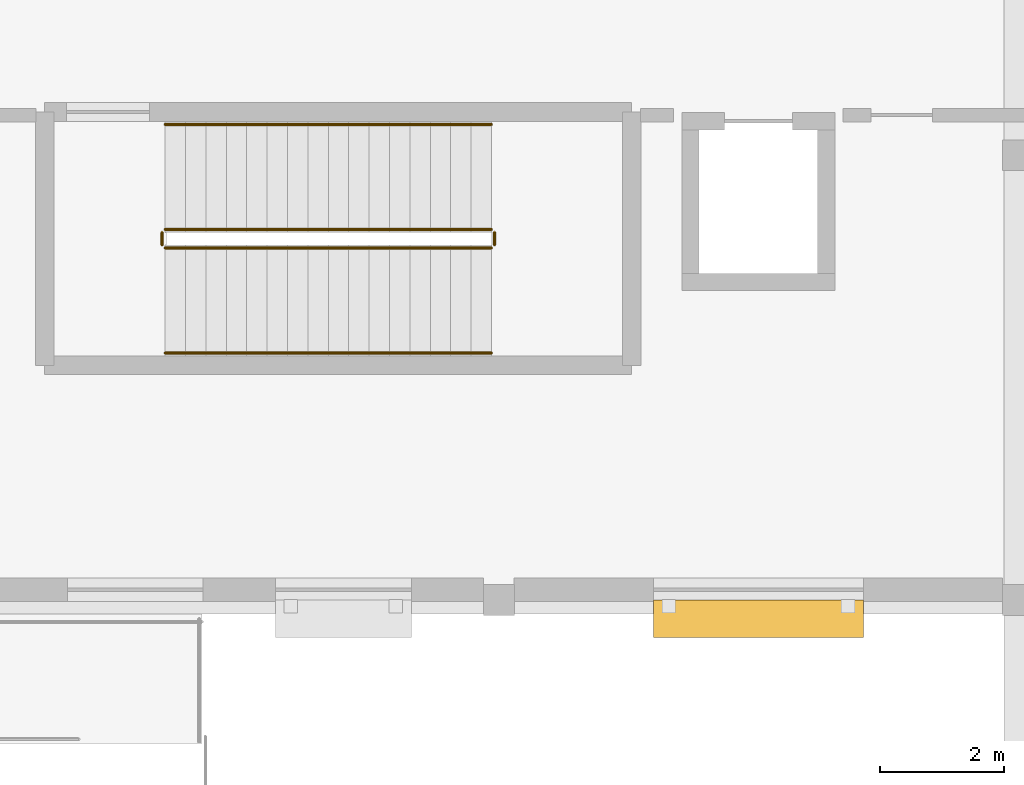
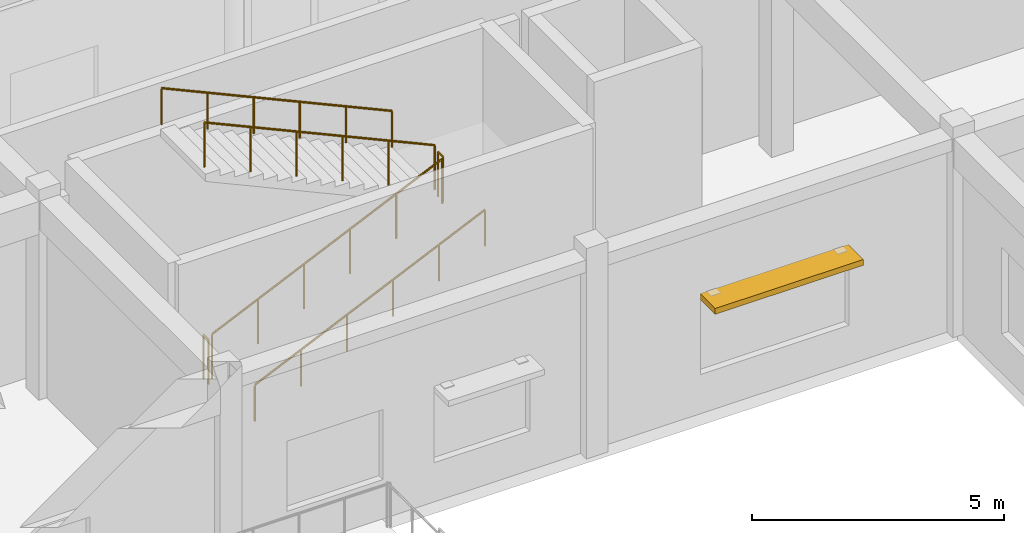
# One storey, part 103 of 121: 6 railings, 1 shading device.
"""IFC4 building model written with IfcOpenShell, lengths in metres."""

from ifc_helpers import new_model, si_unit, direction, frame, origin, origin_2d, place, context, subcontext, project, spatial, rectangle, circle, extrude, material, layer, layer_set, type_object, element, save


model = new_model("IFC4")

# Units and contexts
model_context = context("Model", 3, precision=1e-05, world=origin(), true_north=direction((0.0, 1.0)))
body_context = subcontext(model_context, "Body", "Model", "MODEL_VIEW")
ifc_project = project(units=[si_unit("LENGTHUNIT", "METRE"), si_unit("AREAUNIT", "SQUARE_METRE"), si_unit("VOLUMEUNIT", "CUBIC_METRE"), si_unit("PLANEANGLEUNIT", "RADIAN"), si_unit("MASSUNIT", "GRAM", prefix="KILO")], contexts=[model_context])

# Site, building, storey
site_placement = place(None, origin())
site = spatial("IfcSite", under=ifc_project, at=site_placement, CompositionType="ELEMENT")
building_placement = place(site_placement, origin())
building = spatial("IfcBuilding", under=site, at=building_placement, Name="Malvenik Polytechnic", CompositionType="ELEMENT")
storey_placement = place(building_placement, origin())
storey = spatial("IfcBuildingStorey", under=building, at=storey_placement, Name="L00", CompositionType="ELEMENT", Elevation=0.0)

# Railings
ifc_material_1 = material(Name="Painted galvanised steel stair well balustrade 1100mm", Category="steel")
ifc_layer_1 = layer(ifc_material_1, 0.050048828125)
ifc_layer_set_1 = layer_set([ifc_layer_1], Name="Painted galvanised steel stair well balustrade 1100mm")
railing_type_1 = type_object("IfcRailingType", Name="ARC-RL-STGD", PredefinedType="BALUSTRADE", material=ifc_layer_set_1)
railing_1_placement = place(storey_placement, frame((103.800048828125, 27.300048828125, 0.14990234375)))
element("IfcRailing", 1, at=railing_1_placement, inside=storey, type_object=railing_type_1, Name="L00 ST-08 stair guard 1", PredefinedType="BALUSTRADE", context=body_context, shape_type="SweptSolid", body=[
    extrude(circle(Radius=0.02392578125, at=origin_2d()), frame((0.0, 0.0, 1.076171875), z_axis=(0.910357827898, 0.0, 0.413821972815), x_axis=(0.0, 1.0, 0.0)), (0.0, 0.0, 1.0), 5.800048828125),
    extrude(circle(Radius=0.02099609375, at=origin_2d()), origin(), (0.0, 0.0, 1.0), 1.052001953125),
    extrude(circle(Radius=0.02099609375, at=origin_2d()), frame((1.055908203125, 0.0, 0.47998046875)), (0.0, 0.0, 1.0), 1.052001953125),
    extrude(circle(Radius=0.02099609375, at=origin_2d()), frame((2.112060546875, 0.0, 0.9599609375)), (0.0, 0.0, 1.0), 1.052001953125),
    extrude(circle(Radius=0.02099609375, at=origin_2d()), frame((3.16796875, 0.0, 1.440185546875)), (0.0, 0.0, 1.0), 1.052001953125),
    extrude(circle(Radius=0.02099609375, at=origin_2d()), frame((4.22412109375, 0.0, 1.920166015625)), (0.0, 0.0, 1.0), 1.052001953125),
    extrude(circle(Radius=0.02099609375, at=origin_2d()), frame((5.280029296875, 0.0, 2.400146484375)), (0.0, 0.0, 1.0), 1.052001953125),
])
railing_2_placement = place(storey_placement, frame((109.1298828125, 27.35009765625, 2.550048828125)))
element("IfcRailing", 2, at=railing_2_placement, inside=storey, type_object=railing_type_1, Name="L00 ST-08 stair guard 2", PredefinedType="BALUSTRADE", context=body_context, shape_type="SweptSolid", body=[
    extrude(circle(Radius=0.02392578125, at=origin_2d()), frame((0.0, 0.0, 1.076171875), z_axis=(0.0, 1.0, 0.0), x_axis=(-1.0, 0.0, 0.0)), (0.0, 0.0, 1.0), 0.199951171875),
    extrude(circle(Radius=0.02099609375, at=origin_2d()), origin(), (0.0, 0.0, 1.0), 1.052001953125),
    extrude(circle(Radius=0.02099609375, at=origin_2d()), frame((0.0, 0.199951171875, 0.0)), (0.0, 0.0, 1.0), 1.052001953125),
])
railing_3_placement = place(storey_placement, frame((109.080078125, 27.60009765625, 2.699951171875)))
element("IfcRailing", 3, at=railing_3_placement, inside=storey, type_object=railing_type_1, Name="L00 ST-08 stair guard 3", PredefinedType="BALUSTRADE", context=body_context, shape_type="SweptSolid", body=[
    extrude(circle(Radius=0.02392578125, at=origin_2d()), frame((0.0, 0.0, 1.076171875), z_axis=(-0.910357827898, 0.0, 0.413821972815), x_axis=(0.0, -1.0, 0.0)), (0.0, 0.0, 1.0), 5.800048828125),
    extrude(circle(Radius=0.02099609375, at=origin_2d()), origin(), (0.0, 0.0, 1.0), 1.052001953125),
    extrude(circle(Radius=0.02099609375, at=origin_2d()), frame((-1.055908203125, 0.0, 0.47998046875)), (0.0, 0.0, 1.0), 1.052001953125),
    extrude(circle(Radius=0.02099609375, at=origin_2d()), frame((-2.112060546875, 0.0, 0.9599609375)), (0.0, 0.0, 1.0), 1.052001953125),
    extrude(circle(Radius=0.02099609375, at=origin_2d()), frame((-3.16796875, 0.0, 1.440185546875)), (0.0, 0.0, 1.0), 1.052001953125),
    extrude(circle(Radius=0.02099609375, at=origin_2d()), frame((-4.22412109375, 0.0, 1.920166015625)), (0.0, 0.0, 1.0), 1.052001953125),
    extrude(circle(Radius=0.02099609375, at=origin_2d()), frame((-5.280029296875, 0.0, 2.400146484375)), (0.0, 0.0, 1.0), 1.052001953125),
])
railing_4_placement = place(storey_placement, frame((103.75, 27.35009765625, 0.0)))
element("IfcRailing", 4, at=railing_4_placement, inside=storey, type_object=railing_type_1, Name="L00 ST-08 stair guard 4", PredefinedType="BALUSTRADE", context=body_context, shape_type="SweptSolid", body=[
    extrude(circle(Radius=0.02392578125, at=origin_2d()), frame((0.0, 0.0, 1.076171875), z_axis=(0.0, 1.0, 0.0), x_axis=(-1.0, 0.0, 0.0)), (0.0, 0.0, 1.0), 0.199951171875),
    extrude(circle(Radius=0.02099609375, at=origin_2d()), origin(), (0.0, 0.0, 1.0), 1.052001953125),
    extrude(circle(Radius=0.02099609375, at=origin_2d()), frame((0.0, 0.199951171875, 0.0)), (0.0, 0.0, 1.0), 1.052001953125),
])
ifc_material_2 = material(Name="Brushed stainless steel 1.4301 stair wall handrail", Category="steel")
ifc_layer_2 = layer(ifc_material_2, 0.044921875)
ifc_layer_set_2 = layer_set([ifc_layer_2], Name="Brushed stainless steel 1.4301 stair wall handrail")
railing_type_2 = type_object("IfcRailingType", Name="ARC-RL-STHR", PredefinedType="HANDRAIL", material=ifc_layer_set_2)
railing_5_placement = place(storey_placement, frame((103.800048828125, 25.60009765625, 0.14990234375)))
element("IfcRailing", 5, at=railing_5_placement, inside=storey, type_object=railing_type_2, Name="L00 ST-08 stair handrail 1", PredefinedType="HANDRAIL", context=body_context, shape_type="SweptSolid", body=[
    extrude(circle(Radius=0.02392578125, at=origin_2d()), frame((0.0, 0.0, 0.8759765625), z_axis=(0.910357827898, 0.0, 0.413821972815), x_axis=(0.0, 1.0, 0.0)), (0.0, 0.0, 1.0), 5.800048828125),
    extrude(circle(Radius=0.02099609375, at=origin_2d()), origin(), (0.0, 0.0, 1.0), 0.851806640625),
    extrude(circle(Radius=0.02099609375, at=origin_2d()), frame((1.055908203125, 0.0, 0.47998046875)), (0.0, 0.0, 1.0), 0.851806640625),
    extrude(circle(Radius=0.02099609375, at=origin_2d()), frame((2.112060546875, 0.0, 0.9599609375)), (0.0, 0.0, 1.0), 0.851806640625),
    extrude(circle(Radius=0.02099609375, at=origin_2d()), frame((3.16796875, 0.0, 1.440185546875)), (0.0, 0.0, 1.0), 0.851806640625),
    extrude(circle(Radius=0.02099609375, at=origin_2d()), frame((4.22412109375, 0.0, 1.920166015625)), (0.0, 0.0, 1.0), 0.851806640625),
    extrude(circle(Radius=0.02099609375, at=origin_2d()), frame((5.280029296875, 0.0, 2.400146484375)), (0.0, 0.0, 1.0), 0.851806640625),
])
railing_6_placement = place(storey_placement, frame((109.080078125, 29.300048828125, 2.699951171875)))
element("IfcRailing", 6, at=railing_6_placement, inside=storey, type_object=railing_type_2, Name="L00 ST-08 stair handrail 2", PredefinedType="HANDRAIL", context=body_context, shape_type="SweptSolid", body=[
    extrude(circle(Radius=0.02392578125, at=origin_2d()), frame((0.0, 0.0, 0.8759765625), z_axis=(-0.910357827898, 0.0, 0.413821972815), x_axis=(0.0, -1.0, 0.0)), (0.0, 0.0, 1.0), 5.800048828125),
    extrude(circle(Radius=0.02099609375, at=origin_2d()), origin(), (0.0, 0.0, 1.0), 0.851806640625),
    extrude(circle(Radius=0.02099609375, at=origin_2d()), frame((-1.055908203125, 0.0, 0.47998046875)), (0.0, 0.0, 1.0), 0.851806640625),
    extrude(circle(Radius=0.02099609375, at=origin_2d()), frame((-2.112060546875, 0.0, 0.9599609375)), (0.0, 0.0, 1.0), 0.851806640625),
    extrude(circle(Radius=0.02099609375, at=origin_2d()), frame((-3.16796875, 0.0, 1.440185546875)), (0.0, 0.0, 1.0), 0.851806640625),
    extrude(circle(Radius=0.02099609375, at=origin_2d()), frame((-4.22412109375, 0.0, 1.920166015625)), (0.0, 0.0, 1.0), 0.851806640625),
    extrude(circle(Radius=0.02099609375, at=origin_2d()), frame((-5.280029296875, 0.0, 2.400146484375)), (0.0, 0.0, 1.0), 0.851806640625),
])

# Shading device
ifc_material_3 = material(Name="Extruded anodised aluminium solar brise-soleil louvre", Category="aluminium")
shading_device_type = type_object("IfcShadingDeviceType", Name="ARC-SHD-LOUVRE", PredefinedType="JALOUSIE", material=ifc_material_3)
shading_device_placement = place(storey_placement, frame((113.39990234375, 21.300048828125, 2.76025390625), z_axis=(0.0, 0.0, 1.0), x_axis=(1.0, 0.0, 0.0)))
element("IfcShadingDevice", 7, at=shading_device_placement, inside=storey, type_object=shading_device_type, Name="Solar Brise-Soleil Louvre SH-01 #20", PredefinedType="JALOUSIE", context=body_context, shape_type="SweptSolid", body=[
    extrude(rectangle(XDim=3.39990234375, YDim=0.60009765625, at=origin_2d()), origin(), (0.0, 0.0, 1.0), 0.139892578125),
])

save(model, "model.ifc")
